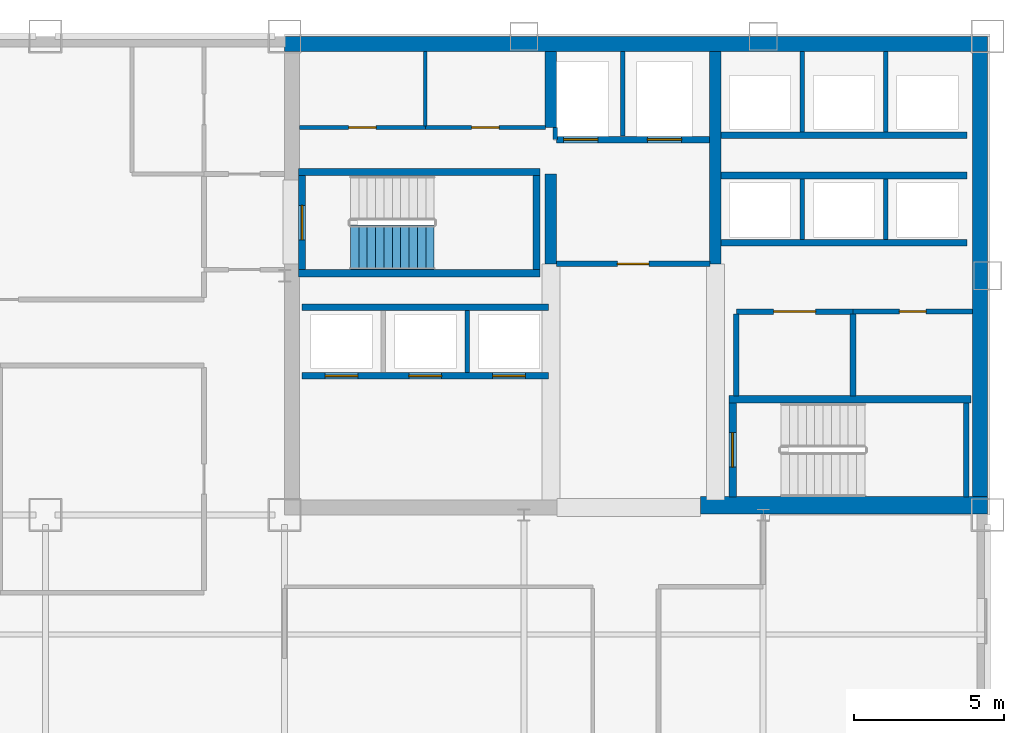
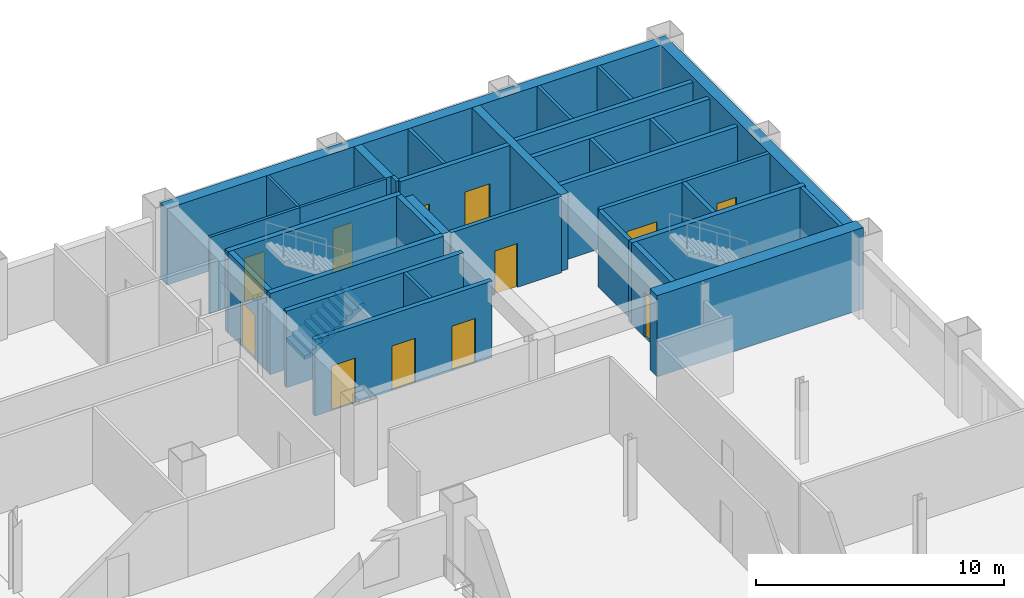
# One storey, part 7 of 10: 34 walls, 12 doors, 1 stair flight, 12 openings, 1 element without a shape of its own.
"""IFC4 building model written with IfcOpenShell, lengths in metres."""

import ifcopenshell
import ifcopenshell.guid

model = None  # the IFC model being written
_history = None  # IfcOwnerHistory: only IFC2X3 demands one
_inside = {}  # id of a spatial element -> (the spatial element, [elements in it])
_under = {}  # id of a project, library or spatial element -> (it, [spatial elements below it])
_declared = {}  # id of a project -> (the project, [libraries it declares])
_typed = {}  # id of a type object -> (the type object, [elements of that type])
_made_of = {}  # id of a material, layer set ... -> (it, [elements and type objects made of it])


def new_model(schema):
    """Start an empty IFC model of exactly this schema.

    Asked for "IFC4X3", IfcOpenShell would pick the latest addendum, in which some entities
    have other attributes; the version numbers below select the first issue.
    IFC2X3 requires an IfcOwnerHistory on every rooted entity: one is made here for all.
    """
    global model, _history
    if schema == "IFC4X3":
        model = ifcopenshell.file(schema_version=(4, 3, 0, 0))
    else:
        model = ifcopenshell.file(schema=schema)
    _inside.clear()
    _under.clear()
    _declared.clear()
    _typed.clear()
    _made_of.clear()
    _history = None
    if model.schema == "IFC2X3":
        org = make("IfcOrganization", Name="unknown")
        user = make(
            "IfcPersonAndOrganization",
            ThePerson=make("IfcPerson", FamilyName="unknown"),
            TheOrganization=org,
        )
        app = make(
            "IfcApplication",
            ApplicationDeveloper=org,
            Version="unknown",
            ApplicationFullName="unknown",
            ApplicationIdentifier="unknown",
        )
        _history = make(
            "IfcOwnerHistory",
            OwningUser=user,
            OwningApplication=app,
            ChangeAction="ADDED",
            CreationDate=0,
        )
    return model


def make(cls, **values):
    """One entity of the class cls with the attributes given. An attribute that is None is left unset."""
    return model.create_entity(
        cls, **{name: value for name, value in values.items() if value is not None}
    )


def rooted(cls, **values):
    """An entity with a GlobalId (a new one), such as an element, a storey or a relation."""
    return make(cls, GlobalId=ifcopenshell.guid.new(), OwnerHistory=_history, **values)


def si_unit(unit_type, name, prefix=None):
    """IfcSIUnit, for example si_unit("LENGTHUNIT", "METRE", prefix="MILLI")."""
    return make("IfcSIUnit", UnitType=unit_type, Prefix=prefix, Name=name)


def assignment(units):
    """IfcUnitAssignment: the units of a project."""
    return None if units is None else make("IfcUnitAssignment", Units=units)


def point(xyz):
    """IfcCartesianPoint."""
    return None if xyz is None else make("IfcCartesianPoint", Coordinates=xyz)


def direction(xyz):
    """IfcDirection."""
    return None if xyz is None else make("IfcDirection", DirectionRatios=xyz)


def frame(location, z_axis=None, x_axis=None):
    """IfcAxis2Placement3D, a coordinate frame: its origin and axes. An axis left out is left unset."""
    return make(
        "IfcAxis2Placement3D",
        Location=point(location),
        Axis=direction(z_axis),
        RefDirection=direction(x_axis),
    )


def frame_2d(location, x_axis=None):
    """IfcAxis2Placement2D, a coordinate frame in the plane: its origin and x axis."""
    return make(
        "IfcAxis2Placement2D", Location=point(location), RefDirection=direction(x_axis)
    )


def origin():
    """The frame at (0, 0, 0) with its axes left unset."""
    return frame((0.0, 0.0, 0.0))


def place(relative_to, where):
    """IfcLocalPlacement: puts the frame where relative to a parent placement (None: the world)."""
    return make(
        "IfcLocalPlacement", PlacementRelTo=relative_to, RelativePlacement=where
    )


def context(
    kind, dimensions, precision=None, world=None, true_north=None, identifier=None
):
    """IfcGeometricRepresentationContext, for example the 3D "Model" context."""
    return make(
        "IfcGeometricRepresentationContext",
        ContextIdentifier=identifier,
        ContextType=kind,
        CoordinateSpaceDimension=dimensions,
        Precision=precision,
        WorldCoordinateSystem=world,
        TrueNorth=true_north,
    )


def subcontext(parent, identifier, kind, view, scale=None):
    """IfcGeometricRepresentationSubContext, for example "Body" below "Model"."""
    return make(
        "IfcGeometricRepresentationSubContext",
        ContextIdentifier=identifier,
        ContextType=kind,
        ParentContext=parent,
        TargetScale=scale,
        TargetView=view,
    )


def project(units=None, contexts=None):
    """IfcProject with its units and contexts."""
    return rooted(
        "IfcProject",
        Name="project",
        RepresentationContexts=contexts,
        UnitsInContext=assignment(units),
    )


def spatial(cls, under=None, at=None, **own):
    """A site, building, storey or space (cls), placed at a placement, below another one or the project."""
    s = rooted(cls, ObjectPlacement=at, **own)
    if under is not None:
        _under.setdefault(under.id(), (under, []))[1].append(s)
    return s


def polyline(points):
    """IfcPolyline through the points."""
    return make("IfcPolyline", Points=[point(p) for p in points])


def profile(cls, at=None, kind="AREA", **sizes):
    """A parametric profile (cls). Its sizes go by their IFC names, for example OverallWidth=200.0."""
    return make(cls, ProfileType=kind, Position=at, **sizes)


def rectangle(**sizes):
    """IfcRectangleProfileDef."""
    return profile("IfcRectangleProfileDef", **sizes)


def outline(outer, holes=None, kind="AREA"):
    """IfcArbitraryClosedProfileDef: a profile drawn as a closed curve; with holes, ...WithVoids."""
    if holes is None:
        return make("IfcArbitraryClosedProfileDef", ProfileType=kind, OuterCurve=outer)
    return make(
        "IfcArbitraryProfileDefWithVoids",
        ProfileType=kind,
        OuterCurve=outer,
        InnerCurves=holes,
    )


def extrude(swept, where, along, depth):
    """IfcExtrudedAreaSolid: the profile swept, set in the frame where, extruded along a direction by depth."""
    return make(
        "IfcExtrudedAreaSolid",
        SweptArea=swept,
        Position=where,
        ExtrudedDirection=direction(along),
        Depth=depth,
    )


def shape(context_of_items, identifier, shape_type, items):
    """IfcShapeRepresentation: the items that make up one representation, for example the "Body"."""
    return make(
        "IfcShapeRepresentation",
        ContextOfItems=context_of_items,
        RepresentationIdentifier=identifier,
        RepresentationType=shape_type,
        Items=items,
    )


def material(Name=None, Category=None):
    """IfcMaterial."""
    return make("IfcMaterial", Name=Name, Category=Category)


def layer(
    of_material, thickness, ventilated=None, Name=None, Category=None, Priority=None
):
    """IfcMaterialLayer: one layer of a wall or slab, of a material (None: an air gap)."""
    return make(
        "IfcMaterialLayer",
        Material=of_material,
        LayerThickness=thickness,
        IsVentilated=ventilated,
        Name=Name,
        Category=Category,
        Priority=Priority,
    )


def layer_set(layers, Name=None):
    """IfcMaterialLayerSet."""
    return make("IfcMaterialLayerSet", MaterialLayers=layers, LayerSetName=Name)


def made_of(thing, what):
    """Note that an element or type object is made of a material, layer set ...; save() writes the relation."""
    if what is not None:
        _made_of.setdefault(what.id(), (what, []))[1].append(thing)
    return thing


def type_object(cls, material=None, **own):
    """A type object (cls), such as IfcWallType, which elements share."""
    return made_of(rooted(cls, **own), material)


def element(
    cls,
    number,
    at=None,
    inside=None,
    cuts=None,
    type_object=None,
    material=None,
    context=None,
    identifier="Body",
    shape_type=None,
    held_by="IfcProductDefinitionShape",
    body=None,
    shapes=None,
    **own,
):
    """One element of the class cls, such as IfcWall. Its Tag is "e" and its number.

    at: its placement. inside: the storey or other place that contains it. cuts: it is an
    opening in that element (IfcRelVoidsElement). A single representation is given by context,
    identifier, shape_type and body (its items); several are given by shapes. held_by: the class
    of the entity that holds the representations. save() writes the other relations.
    """
    e = rooted(cls, Tag="e%d" % number, ObjectPlacement=at, **own)
    if body is not None:
        shapes = [shape(context, identifier, shape_type, body)]
    if shapes is not None:
        e.Representation = make(held_by, Representations=shapes)
    if inside is not None:
        _inside.setdefault(inside.id(), (inside, []))[1].append(e)
    if cuts is not None:
        rooted(
            "IfcRelVoidsElement", RelatingBuildingElement=cuts, RelatedOpeningElement=e
        )
    if type_object is not None:
        _typed.setdefault(type_object.id(), (type_object, []))[1].append(e)
    return made_of(e, material)


def fill(opening, filler):
    """IfcRelFillsElement: the door or window that sits in an opening."""
    return rooted(
        "IfcRelFillsElement",
        RelatingOpeningElement=opening,
        RelatedBuildingElement=filler,
    )


def aggregate(whole, parts):
    """IfcRelAggregates: a whole, such as a stair, and the parts it consists of."""
    return rooted("IfcRelAggregates", RelatingObject=whole, RelatedObjects=parts)


def save(model, path):
    """Write the relations noted so far, then the file.

    IfcRelAggregates (storeys below a building ...), IfcRelContainedInSpatialStructure (elements
    in a storey), IfcRelDefinesByType, IfcRelAssociatesMaterial and IfcRelDeclares: one each for
    every whole, place, type object, material and project.
    """
    for whole, parts in _under.values():
        aggregate(whole, parts)
    for where, things in _inside.values():
        rooted(
            "IfcRelContainedInSpatialStructure",
            RelatedElements=things,
            RelatingStructure=where,
        )
    for kind, things in _typed.values():
        rooted("IfcRelDefinesByType", RelatedObjects=things, RelatingType=kind)
    for what, things in _made_of.values():
        rooted("IfcRelAssociatesMaterial", RelatedObjects=things, RelatingMaterial=what)
    for by, libraries in _declared.values():
        rooted("IfcRelDeclares", RelatingContext=by, RelatedDefinitions=libraries)
    model.write(path)


model = new_model("IFC4")

# Units and contexts
model_context = context("Model", 3, precision=1e-05, world=origin(), true_north=direction((0.0, 1.0)))
body_context = subcontext(model_context, "Body", "Model", "MODEL_VIEW")
ifc_project = project(units=[si_unit("LENGTHUNIT", "METRE"), si_unit("AREAUNIT", "SQUARE_METRE"), si_unit("VOLUMEUNIT", "CUBIC_METRE"), si_unit("PLANEANGLEUNIT", "RADIAN"), si_unit("MASSUNIT", "GRAM", prefix="KILO")], contexts=[model_context])

# Site, building, storey
site_placement = place(None, origin())
site = spatial("IfcSite", under=ifc_project, at=site_placement, CompositionType="ELEMENT")
building_placement = place(site_placement, origin())
building = spatial("IfcBuilding", under=site, at=building_placement, Name="Qianrong Seaharbour Tower", CompositionType="ELEMENT")
storey_placement = place(building_placement, frame((0.0, 0.0, 151.0)))
storey = spatial("IfcBuildingStorey", under=building, at=storey_placement, Name="L36", CompositionType="ELEMENT", Elevation=151.0)

# Walls
ifc_material_1 = material(Name="Concrete C60/75", Category="concrete")
ifc_layer_1 = layer(ifc_material_1, 0.5)
ifc_layer_set_1 = layer_set([ifc_layer_1], Name="Concrete C60/75")
wall_type_1 = type_object("IfcWallType", Name="WALL-CORE-500", PredefinedType="SHEAR", material=ifc_layer_set_1)
wall_1_placement = place(storey_placement, frame((40.5, 51.75, 0.0), z_axis=(0.0, 0.0, 1.0), x_axis=(1.0, 0.0, 0.0)))
element("IfcWall", 1, at=wall_1_placement, inside=storey, type_object=wall_type_1, Name="L36 North Core Shear Wall", PredefinedType="SHEAR", context=body_context, shape_type="SweptSolid", body=[
    extrude(rectangle(XDim=23.5, YDim=0.5, at=frame_2d((11.75, 0.0))), origin(), (0.0, 0.0, 1.0), 3.764892578125),
])
wall_2_placement = place(storey_placement, frame((63.75, 36.320068359375, 0.0), z_axis=(0.0, 0.0, 1.0), x_axis=(0.0, 1.0, 0.0)))
element("IfcWall", 2, at=wall_2_placement, inside=storey, type_object=wall_type_1, Name="L36 East Core Shear Wall", PredefinedType="SHEAR", context=body_context, shape_type="SweptSolid", body=[
    extrude(rectangle(XDim=15.179931640625, YDim=0.5, at=frame_2d((7.58984375, 0.0))), origin(), (0.0, 0.0, 1.0), 3.764892578125),
])
ifc_material_2 = material(Name="Concrete C70/85", Category="concrete")
ifc_layer_2 = layer(ifc_material_2, 0.580078125)
ifc_layer_set_2 = layer_set([ifc_layer_2], Name="Concrete C70/85")
wall_type_2 = type_object("IfcWallType", Name="WALL-CORE-580", PredefinedType="SHEAR", material=ifc_layer_set_2)
wall_3_placement = place(storey_placement, frame((54.39990234375, 36.320068359375, 0.0), z_axis=(0.0, 0.0, 1.0), x_axis=(1.0, 0.0, 0.0)))
element("IfcWall", 3, at=wall_3_placement, inside=storey, type_object=wall_type_2, Name="L36 South Core Shear Wall S3", PredefinedType="SHEAR", context=body_context, shape_type="SweptSolid", body=[
    extrude(rectangle(XDim=9.60009765625, YDim=0.580078125, at=frame_2d((4.800048828125, 0.0))), origin(), (0.0, 0.0, 1.0), 4.0),
])
ifc_layer_3 = layer(ifc_material_1, 0.3798828125)
ifc_layer_set_3 = layer_set([ifc_layer_3], Name="Concrete C60/75")
wall_type_3 = type_object("IfcWallType", Name="WALL-CORE-INT-380", PredefinedType="SHEAR", material=ifc_layer_set_3)
wall_4_placement = place(storey_placement, frame((49.39990234375, 44.39990234375, 0.0), z_axis=(0.0, 0.0, 1.0), x_axis=(0.0, 1.0, 0.0)))
element("IfcWall", 4, at=wall_4_placement, inside=storey, type_object=wall_type_3, Name="L36 Internal Core Shear Wall IW1N1", PredefinedType="SHEAR", context=body_context, shape_type="SweptSolid", body=[
    extrude(rectangle(XDim=3.0, YDim=0.3798828125, at=frame_2d((1.5, 0.0))), origin(), (0.0, 0.0, 1.0), 3.764892578125),
])
wall_5_placement = place(storey_placement, frame((49.39990234375, 48.949951171875, 0.0), z_axis=(0.0, 0.0, 1.0), x_axis=(0.0, 1.0, 0.0)))
element("IfcWall", 5, at=wall_5_placement, inside=storey, type_object=wall_type_3, Name="L36 Internal Core Shear Wall IW1N2", PredefinedType="SHEAR", context=body_context, shape_type="SweptSolid", body=[
    extrude(rectangle(XDim=2.550048828125, YDim=0.3798828125, at=frame_2d((1.27490234375, 0.0))), origin(), (0.0, 0.0, 1.0), 3.764892578125),
])
wall_6_placement = place(storey_placement, frame((54.89990234375, 44.39990234375, 0.0), z_axis=(0.0, 0.0, 1.0), x_axis=(0.0, 1.0, 0.0)))
element("IfcWall", 6, at=wall_6_placement, inside=storey, type_object=wall_type_3, Name="L36 Internal Core Shear Wall IW2N", PredefinedType="SHEAR", context=body_context, shape_type="SweptSolid", body=[
    extrude(rectangle(XDim=7.10009765625, YDim=0.3798828125, at=frame_2d((3.550048828125, 0.0))), origin(), (0.0, 0.0, 1.0), 3.764892578125),
])

# Wall, opening, door
ifc_material_3 = material(Name="Fire-rated acoustic gypsum board partition")
ifc_layer_4 = layer(ifc_material_3, 0.1650390625)
ifc_layer_set_4 = layer_set([ifc_layer_4], Name="Fire-rated acoustic gypsum board partition")
wall_type_4 = type_object("IfcWallType", Name="WALL-CORR-PART-165", PredefinedType="PARTITIONING", material=ifc_layer_set_4)
wall_7_placement = place(storey_placement, frame((63.5, 42.800048828125, 0.0), z_axis=(0.0, 0.0, 1.0), x_axis=(-1.0, 0.0, 0.0)))
wall_7 = element("IfcWall", 7, at=wall_7_placement, inside=storey, type_object=wall_type_4, Name="L36 Interior Partition Wall 012", PredefinedType="PARTITIONING", context=body_context, shape_type="SweptSolid", body=[
    extrude(rectangle(XDim=4.0, YDim=0.1650390625, at=frame_2d((2.0, 0.0))), origin(), (0.0, 0.0, 1.0), 3.764892578125),
])
opening_1_placement = place(wall_7_placement, frame((1.550048828125, 0.0, 0.0)))
opening_1 = element("IfcOpeningElement", 8, at=opening_1_placement, cuts=wall_7, Name="Opening DS-01", PredefinedType="OPENING", context=body_context, shape_type="SweptSolid", body=[
    extrude(rectangle(XDim=0.89990234375, YDim=2.14990234375, at=frame_2d((0.449951171875, 1.074951171875))), frame((0.0, 0.092529296875, 0.0), z_axis=(0.0, -1.0, 0.0), x_axis=(1.0, 0.0, 0.0)), (0.0, 0.0, 1.0), 0.18505859375),
])
ifc_material_4 = material(Name="Acoustic timber and galvanized steel fire door assembly", Category="steel")
door_type_1 = type_object("IfcDoorType", Name="DOOR-STORE-900x2150", OperationType="NOTDEFINED", PredefinedType="DOOR", material=ifc_material_4)
door_1_placement = place(opening_1_placement, origin())
door_1 = element("IfcDoor", 9, at=door_1_placement, inside=storey, type_object=door_type_1, Name="L36 Cleaner Store Room Door", OperationType="SINGLE_SWING_RIGHT", OverallHeight=2.14990234375, OverallWidth=0.89990234375, PredefinedType="DOOR", context=body_context, shape_type="SweptSolid", body=[
    extrude(rectangle(XDim=0.89990234375, YDim=2.14990234375, at=frame_2d((0.449951171875, 1.074951171875))), frame((0.0, 0.02490234375, 0.0), z_axis=(0.0, -1.0, 0.0), x_axis=(1.0, 0.0, 0.0)), (0.0, 0.0, 1.0), 0.050048828125),
])
fill(opening_1, door_1)

ifc_material_5 = material(Name="Double fire-rated gypsum board acoustic partition")
ifc_layer_5 = layer(ifc_material_5, 0.18994140625)
ifc_layer_set_5 = layer_set([ifc_layer_5], Name="Double fire-rated gypsum board acoustic partition")
wall_type_5 = type_object("IfcWallType", Name="WALL-FIRE-PART-190", PredefinedType="PARTITIONING", material=ifc_layer_set_5)
wall_8_placement = place(storey_placement, frame((54.718017578125, 44.39990234375, 0.0), z_axis=(0.0, 0.0, 1.0), x_axis=(-1.0, 0.0, 0.0)))
wall_8 = element("IfcWall", 10, at=wall_8_placement, inside=storey, type_object=wall_type_5, Name="L36 Interior Partition Wall 009", PredefinedType="PARTITIONING", context=body_context, shape_type="SweptSolid", body=[
    extrude(rectangle(XDim=5.135986328125, YDim=0.18994140625, at=frame_2d((2.56787109375, 0.0))), origin(), (0.0, 0.0, 1.0), 3.764892578125),
])
opening_2_placement = place(wall_8_placement, frame((2.04296875, 0.0, 0.0)))
opening_2 = element("IfcOpeningElement", 11, at=opening_2_placement, cuts=wall_8, Name="Opening DC-01", PredefinedType="OPENING", context=body_context, shape_type="SweptSolid", body=[
    extrude(rectangle(XDim=1.050048828125, YDim=2.14990234375, at=frame_2d((0.52490234375, 1.074951171875))), frame((0.0, 0.10498046875, 0.0), z_axis=(0.0, -1.0, 0.0), x_axis=(1.0, 0.0, 0.0)), (0.0, 0.0, 1.0), 0.2099609375),
])
door_type_2 = type_object("IfcDoorType", Name="DOOR-CORR-FD60-1050x2150", OperationType="NOTDEFINED", PredefinedType="DOOR", material=ifc_material_4)
door_2_placement = place(opening_2_placement, origin())
door_2 = element("IfcDoor", 12, at=door_2_placement, inside=storey, type_object=door_type_2, Name="L36 Firefighting Lift Lobby Door", OperationType="SINGLE_SWING_LEFT", OverallHeight=2.14990234375, OverallWidth=1.050048828125, PredefinedType="DOOR", context=body_context, shape_type="SweptSolid", body=[
    extrude(rectangle(XDim=1.050048828125, YDim=2.14990234375, at=frame_2d((0.52490234375, 1.074951171875))), frame((0.0, 0.02490234375, 0.0), z_axis=(0.0, -1.0, 0.0), x_axis=(1.0, 0.0, 0.0)), (0.0, 0.0, 1.0), 0.050048828125),
])
fill(opening_2, door_2)

# Wall
wall_9_placement = place(storey_placement, frame((55.60009765625, 42.712890625, 0.0), z_axis=(0.0, 0.0, 1.0), x_axis=(0.0, -1.0, 0.0)))
element("IfcWall", 13, at=wall_9_placement, inside=storey, type_object=wall_type_5, Name="L36 Interior Partition Wall 010", PredefinedType="PARTITIONING", context=body_context, shape_type="SweptSolid", body=[
    extrude(rectangle(XDim=2.73095703125, YDim=0.18994140625, at=frame_2d((1.365478515625, 0.0))), origin(), (0.0, 0.0, 1.0), 3.764892578125),
])

# Wall, opening, door
wall_10_placement = place(storey_placement, frame((59.5, 42.800048828125, 0.0), z_axis=(0.0, 0.0, 1.0), x_axis=(-1.0, 0.0, 0.0)))
wall_10 = element("IfcWall", 14, at=wall_10_placement, inside=storey, type_object=wall_type_5, Name="L36 Interior Partition Wall 011", PredefinedType="PARTITIONING", context=body_context, shape_type="SweptSolid", body=[
    extrude(rectangle(XDim=3.89990234375, YDim=0.18994140625, at=frame_2d((1.949951171875, 0.0))), origin(), (0.0, 0.0, 1.0), 3.764892578125),
])
opening_3_placement = place(wall_10_placement, frame((1.25, 0.0, 0.0)))
opening_3 = element("IfcOpeningElement", 15, at=opening_3_placement, cuts=wall_10, Name="Opening DP-01", PredefinedType="OPENING", context=body_context, shape_type="SweptSolid", body=[
    extrude(rectangle(XDim=1.39990234375, YDim=2.25, at=frame_2d((0.699951171875, 1.125))), frame((0.0, 0.10498046875, 0.0), z_axis=(0.0, -1.0, 0.0), x_axis=(1.0, 0.0, 0.0)), (0.0, 0.0, 1.0), 0.2099609375),
])
door_type_3 = type_object("IfcDoorType", Name="DOOR-PLANT-PAIR-1400x2250", OperationType="DOUBLE_DOOR_SINGLE_SWING", PredefinedType="DOOR", material=ifc_material_4)
door_3_placement = place(opening_3_placement, origin())
door_3 = element("IfcDoor", 16, at=door_3_placement, inside=storey, type_object=door_type_3, Name="L36 Electrical Substation Door", OperationType="DOUBLE_DOOR_SINGLE_SWING", OverallHeight=2.25, OverallWidth=1.39990234375, PredefinedType="DOOR", context=body_context, shape_type="SweptSolid", body=[
    extrude(rectangle(XDim=1.39990234375, YDim=2.25, at=frame_2d((0.699951171875, 1.125))), frame((0.0, 0.02490234375, 0.0), z_axis=(0.0, -1.0, 0.0), x_axis=(1.0, 0.0, 0.0)), (0.0, 0.0, 1.0), 0.050048828125),
])
fill(opening_3, door_3)

# Walls
wall_11_placement = place(storey_placement, frame((59.5, 42.712890625, 0.0), z_axis=(0.0, 0.0, 1.0), x_axis=(0.0, -1.0, 0.0)))
element("IfcWall", 17, at=wall_11_placement, inside=storey, type_object=wall_type_5, Name="L36 Interior Partition Wall 014", PredefinedType="PARTITIONING", context=body_context, shape_type="SweptSolid", body=[
    extrude(rectangle(XDim=2.73095703125, YDim=0.18994140625, at=frame_2d((1.365478515625, 0.0))), origin(), (0.0, 0.0, 1.0), 3.764892578125),
])
ifc_material_6 = material(Name="Fire-rated gypsum board on steel studs", Category="steel")
ifc_layer_6 = layer(ifc_material_6, 0.14990234375)
ifc_layer_set_6 = layer_set([ifc_layer_6], Name="Fire-rated gypsum board on steel studs")
wall_type_6 = type_object("IfcWallType", Name="WALL-SHAFT-DIV-150", PredefinedType="PARTITIONING", material=ifc_layer_set_6)
wall_12_placement = place(storey_placement, frame((51.800048828125, 48.669921875, 0.0), z_axis=(0.0, 0.0, 1.0), x_axis=(0.0, 1.0, 0.0)))
element("IfcWall", 18, at=wall_12_placement, inside=storey, type_object=wall_type_6, Name="L36 Firefighting Lift Shaft Divider Wall", PredefinedType="PARTITIONING", context=body_context, shape_type="SweptSolid", body=[
    extrude(rectangle(XDim=2.830078125, YDim=0.14990234375, at=frame_2d((1.4150390625, 0.0))), origin(), (0.0, 0.0, 1.0), 3.764892578125),
])
wall_13_placement = place(storey_placement, frame((49.550048828125, 48.550048828125, 0.0), z_axis=(0.0, 0.0, 1.0), x_axis=(0.0, 1.0, 0.0)))
element("IfcWall", 19, at=wall_13_placement, inside=storey, type_object=wall_type_6, Name="L36 Firefighting Lift Shaft West Return Wall", PredefinedType="PARTITIONING", context=body_context, shape_type="SweptSolid", body=[
    extrude(rectangle(XDim=0.39990234375, YDim=0.14990234375, at=frame_2d((0.199951171875, 0.0))), origin(), (0.0, 0.0, 1.0), 3.764892578125),
])
wall_14_placement = place(storey_placement, frame((46.60009765625, 40.760009765625, 0.0), z_axis=(0.0, 0.0, 1.0), x_axis=(0.0, 1.0, 0.0)))
element("IfcWall", 20, at=wall_14_placement, inside=storey, type_object=wall_type_6, Name="L36 P2 Lift Hoistway Divider 3", PredefinedType="PARTITIONING", context=body_context, shape_type="SweptSolid", body=[
    extrude(rectangle(XDim=2.080078125, YDim=0.14990234375, at=frame_2d((1.0400390625, 0.0))), origin(), (0.0, 0.0, 1.0), 3.764892578125),
])
for number, where, z_axis, x_axis, name in (
    (21, (57.800048828125, 45.2099609375, 0.0), (0.0, 0.0, 1.0), (0.0, 1.0, 0.0), "L36 P3 Lift Hoistway Divider 2"),
    (22, (60.60009765625, 45.2099609375, 0.0), (0.0, 0.0, 1.0), (0.0, 1.0, 0.0), "L36 P3 Lift Hoistway Divider 3"),
):
    element("IfcWall", number, at=place(storey_placement, frame(where, z_axis=z_axis, x_axis=x_axis)), inside=storey, type_object=wall_type_6, Name=name, PredefinedType="PARTITIONING", context=body_context, shape_type="SweptSolid", body=[
        extrude(rectangle(XDim=2.030029296875, YDim=0.14990234375, at=frame_2d((1.01513671875, 0.0))), origin(), (0.0, 0.0, 1.0), 3.764892578125),
    ])
for number, where, z_axis, x_axis, name in (
    (23, (57.800048828125, 48.81005859375, 0.0), (0.0, 0.0, 1.0), (0.0, 1.0, 0.0), "L36 P4 Lift Hoistway Divider 2"),
    (24, (60.60009765625, 48.81005859375, 0.0), (0.0, 0.0, 1.0), (0.0, 1.0, 0.0), "L36 P4 Lift Hoistway Divider 3"),
):
    element("IfcWall", number, at=place(storey_placement, frame(where, z_axis=z_axis, x_axis=x_axis)), inside=storey, type_object=wall_type_6, Name=name, PredefinedType="PARTITIONING", context=body_context, shape_type="SweptSolid", body=[
        extrude(rectangle(XDim=2.68994140625, YDim=0.14990234375, at=frame_2d((1.344970703125, 0.0))), origin(), (0.0, 0.0, 1.0), 3.764892578125),
    ])

# Wall, openings, doors
ifc_layer_7 = layer(ifc_material_6, 0.219970703125)
ifc_layer_set_7 = layer_set([ifc_layer_7], Name="Fire-rated gypsum board on steel studs")
wall_type_7 = type_object("IfcWallType", Name="WALL-SHAFT-GYP220", PredefinedType="PARTITIONING", material=ifc_layer_set_7)
wall_15_placement = place(storey_placement, frame((54.7099609375, 48.550048828125, 0.0), z_axis=(0.0, 0.0, 1.0), x_axis=(-1.0, 0.0, 0.0)))
wall_15 = element("IfcWall", 25, at=wall_15_placement, inside=storey, type_object=wall_type_7, Name="L36 Firefighting Lift Shaft Front Wall", PredefinedType="PARTITIONING", context=body_context, shape_type="SweptSolid", body=[
    extrude(rectangle(XDim=5.119873046875, YDim=0.219970703125, at=frame_2d((2.56005859375, 0.0))), origin(), (0.0, 0.0, 1.0), 3.764892578125),
])
opening_4_placement = place(wall_15_placement, frame((3.735107421875, 0.0, 0.0)))
opening_4 = element("IfcOpeningElement", 26, at=opening_4_placement, cuts=wall_15, Name="Opening LD-01", PredefinedType="OPENING", context=body_context, shape_type="SweptSolid", body=[
    extrude(rectangle(XDim=1.14990234375, YDim=2.199951171875, at=frame_2d((0.574951171875, 1.10009765625))), frame((0.0, 0.1201171875, 0.0), z_axis=(0.0, -1.0, 0.0), x_axis=(1.0, 0.0, 0.0)), (0.0, 0.0, 1.0), 0.239990234375),
])
opening_5_placement = place(wall_15_placement, frame((0.93505859375, 0.0, 0.0)))
opening_5 = element("IfcOpeningElement", 27, at=opening_5_placement, cuts=wall_15, Name="Opening LD-01", PredefinedType="OPENING", context=body_context, shape_type="SweptSolid", body=[
    extrude(rectangle(XDim=1.14990234375, YDim=2.199951171875, at=frame_2d((0.574951171875, 1.10009765625))), frame((0.0, 0.1201171875, 0.0), z_axis=(0.0, -1.0, 0.0), x_axis=(1.0, 0.0, 0.0)), (0.0, 0.0, 1.0), 0.239990234375),
])
ifc_material_7 = material(Name="Stainless steel SUS316L bi-parting lift landing door", Category="steel")
door_type_4 = type_object("IfcDoorType", Name="DOOR-LIFT-FF-1150x2200", OperationType="DOUBLE_DOOR_SLIDING", PredefinedType="DOOR", material=ifc_material_7)
door_4_placement = place(opening_4_placement, origin())
door_4 = element("IfcDoor", 28, at=door_4_placement, inside=storey, type_object=door_type_4, Name="L36 FL-1 Firefighting Lift Landing Door", OperationType="DOUBLE_DOOR_SLIDING", OverallHeight=2.199951171875, OverallWidth=1.14990234375, PredefinedType="DOOR", context=body_context, shape_type="SweptSolid", body=[
    extrude(rectangle(XDim=1.14990234375, YDim=2.199951171875, at=frame_2d((0.574951171875, 1.10009765625))), frame((0.0, 0.02490234375, 0.0), z_axis=(0.0, -1.0, 0.0), x_axis=(1.0, 0.0, 0.0)), (0.0, 0.0, 1.0), 0.050048828125),
])
fill(opening_4, door_4)
door_5_placement = place(opening_5_placement, origin())
door_5 = element("IfcDoor", 29, at=door_5_placement, inside=storey, type_object=door_type_4, Name="L36 FL-2 Firefighting Lift Landing Door", OperationType="DOUBLE_DOOR_SLIDING", OverallHeight=2.199951171875, OverallWidth=1.14990234375, PredefinedType="DOOR", context=body_context, shape_type="SweptSolid", body=[
    extrude(rectangle(XDim=1.14990234375, YDim=2.199951171875, at=frame_2d((0.574951171875, 1.10009765625))), frame((0.0, 0.02490234375, 0.0), z_axis=(0.0, -1.0, 0.0), x_axis=(1.0, 0.0, 0.0)), (0.0, 0.0, 1.0), 0.050048828125),
])
fill(opening_5, door_5)

wall_16_placement = place(storey_placement, frame((49.320068359375, 40.64990234375, 0.0), z_axis=(0.0, 0.0, 1.0), x_axis=(-1.0, 0.0, 0.0)))
wall_16 = element("IfcWall", 30, at=wall_16_placement, inside=storey, type_object=wall_type_7, Name="L36 P2 Lift Hoistway Front Wall", PredefinedType="PARTITIONING", context=body_context, shape_type="SweptSolid", body=[
    extrude(rectangle(XDim=8.239990234375, YDim=0.219970703125, at=frame_2d((4.1201171875, 0.0))), origin(), (0.0, 0.0, 1.0), 3.764892578125),
])
opening_6_placement = place(wall_16_placement, frame((6.3701171875, 0.0, 0.0)))
opening_6 = element("IfcOpeningElement", 31, at=opening_6_placement, cuts=wall_16, Name="Opening LD-02", PredefinedType="OPENING", context=body_context, shape_type="SweptSolid", body=[
    extrude(rectangle(XDim=1.10009765625, YDim=2.199951171875, at=frame_2d((0.550048828125, 1.10009765625))), frame((0.0, 0.1201171875, 0.0), z_axis=(0.0, -1.0, 0.0), x_axis=(1.0, 0.0, 0.0)), (0.0, 0.0, 1.0), 0.239990234375),
])
opening_7_placement = place(wall_16_placement, frame((3.570068359375, 0.0, 0.0)))
opening_7 = element("IfcOpeningElement", 32, at=opening_7_placement, cuts=wall_16, Name="Opening LD-02", PredefinedType="OPENING", context=body_context, shape_type="SweptSolid", body=[
    extrude(rectangle(XDim=1.10009765625, YDim=2.199951171875, at=frame_2d((0.550048828125, 1.10009765625))), frame((0.0, 0.1201171875, 0.0), z_axis=(0.0, -1.0, 0.0), x_axis=(1.0, 0.0, 0.0)), (0.0, 0.0, 1.0), 0.239990234375),
])
opening_8_placement = place(wall_16_placement, frame((0.77001953125, 0.0, 0.0)))
opening_8 = element("IfcOpeningElement", 33, at=opening_8_placement, cuts=wall_16, Name="Opening LD-02", PredefinedType="OPENING", context=body_context, shape_type="SweptSolid", body=[
    extrude(rectangle(XDim=1.10009765625, YDim=2.199951171875, at=frame_2d((0.550048828125, 1.10009765625))), frame((0.0, 0.1201171875, 0.0), z_axis=(0.0, -1.0, 0.0), x_axis=(1.0, 0.0, 0.0)), (0.0, 0.0, 1.0), 0.239990234375),
])
door_type_5 = type_object("IfcDoorType", Name="DOOR-LIFT-PASS-1100x2200", OperationType="DOUBLE_DOOR_SLIDING", PredefinedType="DOOR", material=ifc_material_7)
door_6_placement = place(opening_6_placement, origin())
door_6 = element("IfcDoor", 34, at=door_6_placement, inside=storey, type_object=door_type_5, Name="L36 PL-2A Lift Landing Door", OperationType="DOUBLE_DOOR_SLIDING", OverallHeight=2.199951171875, OverallWidth=1.10009765625, PredefinedType="DOOR", context=body_context, shape_type="SweptSolid", body=[
    extrude(rectangle(XDim=1.10009765625, YDim=2.199951171875, at=frame_2d((0.550048828125, 1.10009765625))), frame((0.0, 0.02490234375, 0.0), z_axis=(0.0, -1.0, 0.0), x_axis=(1.0, 0.0, 0.0)), (0.0, 0.0, 1.0), 0.050048828125),
])
fill(opening_6, door_6)
door_7_placement = place(opening_7_placement, origin())
door_7 = element("IfcDoor", 35, at=door_7_placement, inside=storey, type_object=door_type_5, Name="L36 PL-2B Lift Landing Door", OperationType="DOUBLE_DOOR_SLIDING", OverallHeight=2.199951171875, OverallWidth=1.10009765625, PredefinedType="DOOR", context=body_context, shape_type="SweptSolid", body=[
    extrude(rectangle(XDim=1.10009765625, YDim=2.199951171875, at=frame_2d((0.550048828125, 1.10009765625))), frame((0.0, 0.02490234375, 0.0), z_axis=(0.0, -1.0, 0.0), x_axis=(1.0, 0.0, 0.0)), (0.0, 0.0, 1.0), 0.050048828125),
])
fill(opening_7, door_7)
door_8_placement = place(opening_8_placement, origin())
door_8 = element("IfcDoor", 36, at=door_8_placement, inside=storey, type_object=door_type_5, Name="L36 PL-2C Lift Landing Door", OperationType="DOUBLE_DOOR_SLIDING", OverallHeight=2.199951171875, OverallWidth=1.10009765625, PredefinedType="DOOR", context=body_context, shape_type="SweptSolid", body=[
    extrude(rectangle(XDim=1.10009765625, YDim=2.199951171875, at=frame_2d((0.550048828125, 1.10009765625))), frame((0.0, 0.02490234375, 0.0), z_axis=(0.0, -1.0, 0.0), x_axis=(1.0, 0.0, 0.0)), (0.0, 0.0, 1.0), 0.050048828125),
])
fill(opening_8, door_8)

# Walls
for number, where, z_axis, x_axis, name in (
    (37, (41.080078125, 42.949951171875, 0.0), (0.0, 0.0, 1.0), (1.0, 0.0, 0.0), "L36 P2 Lift Hoistway Back Wall"),
    (38, (63.320068359375, 45.10009765625, 0.0), (0.0, 0.0, 1.0), (-1.0, 0.0, 0.0), "L36 P3 Lift Hoistway Front Wall"),
    (39, (55.080078125, 47.35009765625, 0.0), (0.0, 0.0, 1.0), (1.0, 0.0, 0.0), "L36 P3 Lift Hoistway Back Wall"),
    (40, (63.320068359375, 48.699951171875, 0.0), (0.0, 0.0, 1.0), (-1.0, 0.0, 0.0), "L36 P4 Lift Hoistway Front Wall"),
):
    element("IfcWall", number, at=place(storey_placement, frame(where, z_axis=z_axis, x_axis=x_axis)), inside=storey, type_object=wall_type_7, Name=name, PredefinedType="PARTITIONING", context=body_context, shape_type="SweptSolid", body=[
        extrude(rectangle(XDim=8.239990234375, YDim=0.219970703125, at=frame_2d((4.1201171875, 0.0))), origin(), (0.0, 0.0, 1.0), 3.764892578125),
    ])
ifc_material_8 = material(Name="Concrete C50/60", Category="concrete")
ifc_layer_8 = layer(ifc_material_8, 0.239990234375)
ifc_layer_set_8 = layer_set([ifc_layer_8], Name="Concrete C50/60")
wall_type_8 = type_object("IfcWallType", Name="WALL-SHAFT-RC240", PredefinedType="SOLIDWALL", material=ifc_layer_set_8)
for number, where, z_axis, x_axis, name in (
    (41, (40.9599609375, 47.469970703125, 0.0), (0.0, 0.0, 1.0), (1.0, 0.0, 0.0), "L36 ST-1 Structural Stair Core Wall N"),
    (42, (49.0400390625, 44.080078125, 0.0), (0.0, 0.0, 1.0), (-1.0, 0.0, 0.0), "L36 ST-1 Structural Stair Core Wall S"),
):
    element("IfcWall", number, at=place(storey_placement, frame(where, z_axis=z_axis, x_axis=x_axis)), inside=storey, type_object=wall_type_8, Name=name, PredefinedType="SOLIDWALL", context=body_context, shape_type="SweptSolid", body=[
        extrude(rectangle(XDim=8.080078125, YDim=0.239990234375, at=frame_2d((4.0400390625, 0.0))), origin(), (0.0, 0.0, 1.0), 4.0),
    ])

# Wall, opening, door
wall_17_placement = place(storey_placement, frame((41.080078125, 47.35009765625, 0.0), z_axis=(0.0, 0.0, 1.0), x_axis=(0.0, -1.0, 0.0)))
wall_17 = element("IfcWall", 43, at=wall_17_placement, inside=storey, type_object=wall_type_8, Name="L36 ST-1 Structural Stair Core Wall W", PredefinedType="SOLIDWALL", context=body_context, shape_type="SweptSolid", body=[
    extrude(rectangle(XDim=3.150146484375, YDim=0.239990234375, at=frame_2d((1.5751953125, 0.0))), origin(), (0.0, 0.0, 1.0), 4.0),
])
opening_9_placement = place(wall_17_placement, frame((1.0, 0.0, 0.0)))
opening_9 = element("IfcOpeningElement", 44, at=opening_9_placement, cuts=wall_17, Name="Opening SD-01", PredefinedType="OPENING", context=body_context, shape_type="SweptSolid", body=[
    extrude(rectangle(XDim=1.14990234375, YDim=2.199951171875, at=frame_2d((0.574951171875, 1.10009765625))), frame((0.0, 0.1298828125, 0.0), z_axis=(0.0, -1.0, 0.0), x_axis=(1.0, 0.0, 0.0)), (0.0, 0.0, 1.0), 0.260009765625),
])
door_type_6 = type_object("IfcDoorType", Name="DOOR-STAIR-FD60-1150x2200", OperationType="NOTDEFINED", PredefinedType="DOOR", material=ifc_material_4)
door_9_placement = place(opening_9_placement, origin())
door_9 = element("IfcDoor", 45, at=door_9_placement, inside=storey, type_object=door_type_6, Name="L36 ST-1 Protected Stair Door", OperationType="SINGLE_SWING_LEFT", OverallHeight=2.199951171875, OverallWidth=1.14990234375, PredefinedType="DOOR", context=body_context, shape_type="SweptSolid", body=[
    extrude(rectangle(XDim=1.14990234375, YDim=2.199951171875, at=frame_2d((0.574951171875, 1.10009765625))), frame((0.0, 0.02490234375, 0.0), z_axis=(0.0, -1.0, 0.0), x_axis=(1.0, 0.0, 0.0)), (0.0, 0.0, 1.0), 0.050048828125),
])
fill(opening_9, door_9)

# Walls
wall_18_placement = place(storey_placement, frame((48.919921875, 44.199951171875, 0.0), z_axis=(0.0, 0.0, 1.0), x_axis=(0.0, 1.0, 0.0)))
element("IfcWall", 46, at=wall_18_placement, inside=storey, type_object=wall_type_8, Name="L36 ST-1 Structural Stair Core Wall E", PredefinedType="SOLIDWALL", context=body_context, shape_type="SweptSolid", body=[
    extrude(rectangle(XDim=3.150146484375, YDim=0.239990234375, at=frame_2d((1.5751953125, 0.0))), origin(), (0.0, 0.0, 1.0), 4.0),
])
wall_19_placement = place(storey_placement, frame((55.360107421875, 39.8701171875, 0.0), z_axis=(0.0, 0.0, 1.0), x_axis=(1.0, 0.0, 0.0)))
element("IfcWall", 47, at=wall_19_placement, inside=storey, type_object=wall_type_8, Name="L36 ST-2 Structural Stair Core Wall N", PredefinedType="SOLIDWALL", context=body_context, shape_type="SweptSolid", body=[
    extrude(rectangle(XDim=8.079833984375, YDim=0.239990234375, at=frame_2d((4.0400390625, 0.0))), origin(), (0.0, 0.0, 1.0), 4.0),
])

# Wall, opening, door
wall_20_placement = place(storey_placement, frame((55.47998046875, 39.75, 0.0), z_axis=(0.0, 0.0, 1.0), x_axis=(0.0, -1.0, 0.0)))
wall_20 = element("IfcWall", 48, at=wall_20_placement, inside=storey, type_object=wall_type_8, Name="L36 ST-2 Structural Stair Core Wall W", PredefinedType="SOLIDWALL", context=body_context, shape_type="SweptSolid", body=[
    extrude(rectangle(XDim=3.14990234375, YDim=0.239990234375, at=frame_2d((1.574951171875, 0.0))), origin(), (0.0, 0.0, 1.0), 4.0),
])
opening_10_placement = place(wall_20_placement, frame((1.0, 0.0, 0.0)))
opening_10 = element("IfcOpeningElement", 49, at=opening_10_placement, cuts=wall_20, Name="Opening SD-01", PredefinedType="OPENING", context=body_context, shape_type="SweptSolid", body=[
    extrude(rectangle(XDim=1.14990234375, YDim=2.199951171875, at=frame_2d((0.574951171875, 1.10009765625))), frame((0.0, 0.1298828125, 0.0), z_axis=(0.0, -1.0, 0.0), x_axis=(1.0, 0.0, 0.0)), (0.0, 0.0, 1.0), 0.260009765625),
])
door_10_placement = place(opening_10_placement, origin())
door_10 = element("IfcDoor", 50, at=door_10_placement, inside=storey, type_object=door_type_6, Name="L36 ST-2 Protected Stair Door", OperationType="SINGLE_SWING_LEFT", OverallHeight=2.199951171875, OverallWidth=1.14990234375, PredefinedType="DOOR", context=body_context, shape_type="SweptSolid", body=[
    extrude(rectangle(XDim=1.14990234375, YDim=2.199951171875, at=frame_2d((0.574951171875, 1.10009765625))), frame((0.0, 0.02490234375, 0.0), z_axis=(0.0, -1.0, 0.0), x_axis=(1.0, 0.0, 0.0)), (0.0, 0.0, 1.0), 0.050048828125),
])
fill(opening_10, door_10)

# Wall
wall_21_placement = place(storey_placement, frame((63.2900390625, 36.60009765625, 0.0), z_axis=(0.0, 0.0, 1.0), x_axis=(0.0, 1.0, 0.0)))
element("IfcWall", 51, at=wall_21_placement, inside=storey, type_object=wall_type_8, Name="L36 ST-2 Structural Stair Core Wall E", PredefinedType="SOLIDWALL", context=body_context, shape_type="SweptSolid", body=[
    extrude(rectangle(XDim=3.14990234375, YDim=0.179931640625, at=frame_2d((1.574951171875, 0.0))), origin(), (0.0, 0.0, 1.0), 4.0),
])

# Wall, opening, door
ifc_material_9 = material(Name="Water-resistant cement board sanitary partition")
ifc_layer_9 = layer(ifc_material_9, 0.1298828125)
ifc_layer_set_9 = layer_set([ifc_layer_9], Name="Water-resistant cement board sanitary partition")
wall_type_9 = type_object("IfcWallType", Name="WALL-WET-PART-130", PredefinedType="PARTITIONING", material=ifc_layer_set_9)
wall_22_placement = place(storey_placement, frame((41.0, 48.949951171875, 0.0), z_axis=(0.0, 0.0, 1.0), x_axis=(1.0, 0.0, 0.0)))
wall_22 = element("IfcWall", 52, at=wall_22_placement, inside=storey, type_object=wall_type_9, Name="L36 Interior Partition Wall 007", PredefinedType="PARTITIONING", context=body_context, shape_type="SweptSolid", body=[
    extrude(rectangle(XDim=4.199951171875, YDim=0.1298828125, at=frame_2d((2.10009765625, 0.0))), origin(), (0.0, 0.0, 1.0), 3.764892578125),
])
opening_11_placement = place(wall_22_placement, frame((1.639892578125, 0.0, 0.0)))
opening_11 = element("IfcOpeningElement", 53, at=opening_11_placement, cuts=wall_22, Name="Opening DW-01", PredefinedType="OPENING", context=body_context, shape_type="SweptSolid", body=[
    extrude(rectangle(XDim=0.919921875, YDim=2.14990234375, at=frame_2d((0.4599609375, 1.074951171875))), frame((0.0, 0.074951171875, 0.0), z_axis=(0.0, -1.0, 0.0), x_axis=(1.0, 0.0, 0.0)), (0.0, 0.0, 1.0), 0.14990234375),
])
door_type_7 = type_object("IfcDoorType", Name="DOOR-WC-920x2150", OperationType="NOTDEFINED", PredefinedType="DOOR", material=ifc_material_4)
door_11_placement = place(opening_11_placement, origin())
door_11 = element("IfcDoor", 54, at=door_11_placement, inside=storey, type_object=door_type_7, Name="L36 Male Restroom WC Door", OperationType="SINGLE_SWING_RIGHT", OverallHeight=2.14990234375, OverallWidth=0.919921875, PredefinedType="DOOR", context=body_context, shape_type="SweptSolid", body=[
    extrude(rectangle(XDim=0.919921875, YDim=2.14990234375, at=frame_2d((0.4599609375, 1.074951171875))), frame((0.0, 0.02490234375, 0.0), z_axis=(0.0, -1.0, 0.0), x_axis=(1.0, 0.0, 0.0)), (0.0, 0.0, 1.0), 0.050048828125),
])
fill(opening_11, door_11)

wall_23_placement = place(storey_placement, frame((45.199951171875, 48.949951171875, 0.0), z_axis=(0.0, 0.0, 1.0), x_axis=(1.0, 0.0, 0.0)))
wall_23 = element("IfcWall", 55, at=wall_23_placement, inside=storey, type_object=wall_type_9, Name="L36 Interior Partition Wall 008", PredefinedType="PARTITIONING", context=body_context, shape_type="SweptSolid", body=[
    extrude(rectangle(XDim=4.01806640625, YDim=0.1298828125, at=frame_2d((2.009033203125, 0.0))), origin(), (0.0, 0.0, 1.0), 3.764892578125),
])
opening_12_placement = place(wall_23_placement, frame((1.549072265625, 0.0, 0.0)))
opening_12 = element("IfcOpeningElement", 56, at=opening_12_placement, cuts=wall_23, Name="Opening DW-01", PredefinedType="OPENING", context=body_context, shape_type="SweptSolid", body=[
    extrude(rectangle(XDim=0.919921875, YDim=2.14990234375, at=frame_2d((0.4599609375, 1.074951171875))), frame((0.0, 0.074951171875, 0.0), z_axis=(0.0, -1.0, 0.0), x_axis=(1.0, 0.0, 0.0)), (0.0, 0.0, 1.0), 0.14990234375),
])
door_12_placement = place(opening_12_placement, origin())
door_12 = element("IfcDoor", 57, at=door_12_placement, inside=storey, type_object=door_type_7, Name="L36 Female Restroom WC Door", OperationType="SINGLE_SWING_LEFT", OverallHeight=2.14990234375, OverallWidth=0.919921875, PredefinedType="DOOR", context=body_context, shape_type="SweptSolid", body=[
    extrude(rectangle(XDim=0.919921875, YDim=2.14990234375, at=frame_2d((0.4599609375, 1.074951171875))), frame((0.0, 0.02490234375, 0.0), z_axis=(0.0, -1.0, 0.0), x_axis=(1.0, 0.0, 0.0)), (0.0, 0.0, 1.0), 0.050048828125),
])
fill(opening_12, door_12)

# Wall
wall_24_placement = place(storey_placement, frame((45.199951171875, 51.5, 0.0), z_axis=(0.0, 0.0, 1.0), x_axis=(0.0, -1.0, 0.0)))
element("IfcWall", 58, at=wall_24_placement, inside=storey, type_object=wall_type_9, Name="L36 Interior Partition Wall 013", PredefinedType="PARTITIONING", context=body_context, shape_type="SweptSolid", body=[
    extrude(rectangle(XDim=2.492919921875, YDim=0.1298828125, at=frame_2d((1.24658203125, 0.0))), origin(), (0.0, 0.0, 1.0), 3.764892578125),
])

# Stair, stair flight
stair_type = type_object("IfcStairType", Name="STAIR-DOGLEG-1500-R22", PredefinedType="HALF_TURN_STAIR", material=ifc_material_8)
stair_placement = place(storey_placement, origin())
stair = element("IfcStair", 59, at=stair_placement, inside=storey, type_object=stair_type, Name="L36 Protected Escape Stair ST-1", PredefinedType="HALF_TURN_STAIR")
stair_flight_type = type_object("IfcStairFlightType", Name="FLIGHT-STR-1500-R22", PredefinedType="STRAIGHT", material=ifc_material_8)
stair_flight_placement = place(storey_placement, frame((42.699951171875, 44.949951171875, 0.0), z_axis=(0.0, 0.0, 1.0), x_axis=(1.0, 0.0, 0.0)))
stair_flight = element("IfcStairFlight", 60, at=stair_flight_placement, type_object=stair_flight_type, Name="ST-1 flight 1", NumberOfRisers=11, NumberOfTreads=10, PredefinedType="STRAIGHT", RiserHeight=0.181818182, TreadLength=0.28, context=body_context, shape_type="SweptSolid", body=[
    extrude(outline(polyline([(0.0, 0.0), (0.0, 0.181884765625), (0.280029296875, 0.181884765625), (0.280029296875, 0.363525390625), (0.56005859375, 0.363525390625), (0.56005859375, 0.54541015625), (0.840087890625, 0.54541015625), (0.840087890625, 0.727294921875), (1.1201171875, 0.727294921875), (1.1201171875, 0.9091796875), (1.39990234375, 0.9091796875), (1.39990234375, 1.0908203125), (1.679931640625, 1.0908203125), (1.679931640625, 1.272705078125), (1.9599609375, 1.272705078125), (1.9599609375, 1.45458984375), (2.239990234375, 1.45458984375), (2.239990234375, 1.636474609375), (2.52001953125, 1.636474609375), (2.52001953125, 1.818115234375), (2.800048828125, 1.818115234375), (2.800048828125, 2.0), (2.800048828125, 1.62744140625), (0.293701171875, 0.0), (0.0, 0.0)])), frame((0.0, 0.75, 0.0), z_axis=(0.0, -1.0, 0.0), x_axis=(1.0, 0.0, 0.0)), (0.0, 0.0, 1.0), 1.5),
])
aggregate(stair, [stair_flight])

save(model, "model.ifc")
